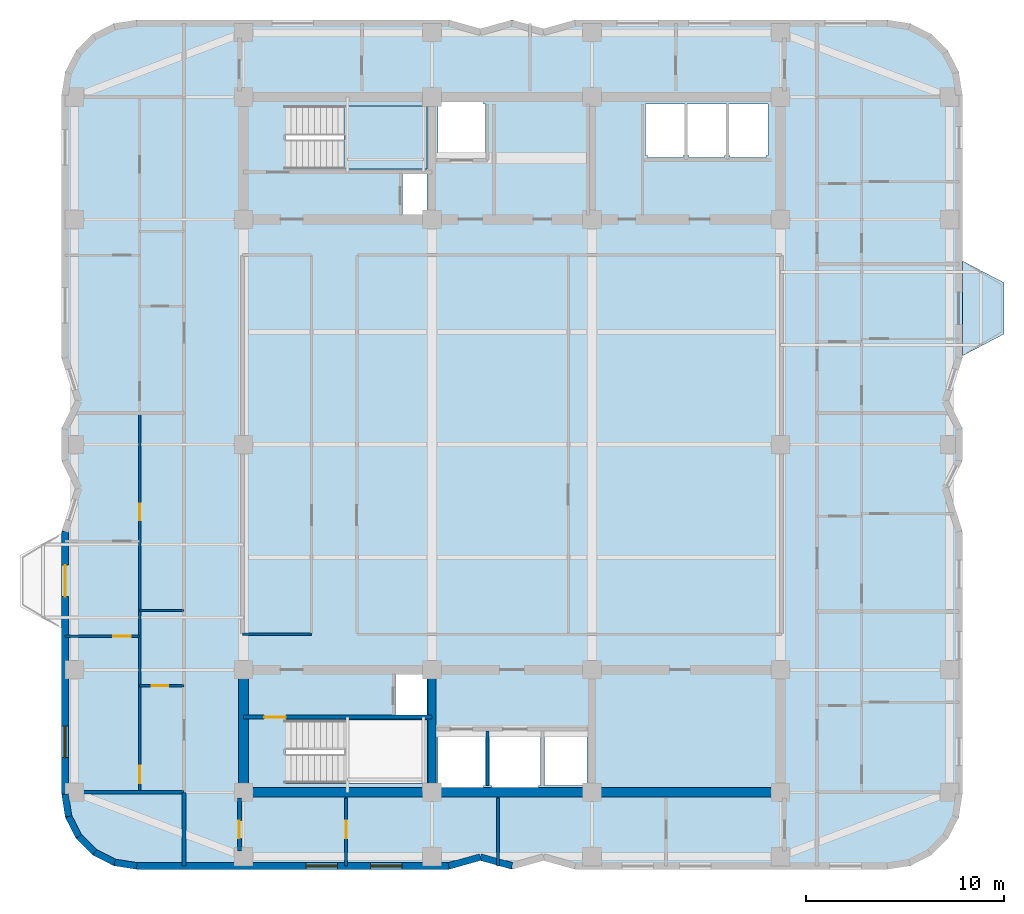
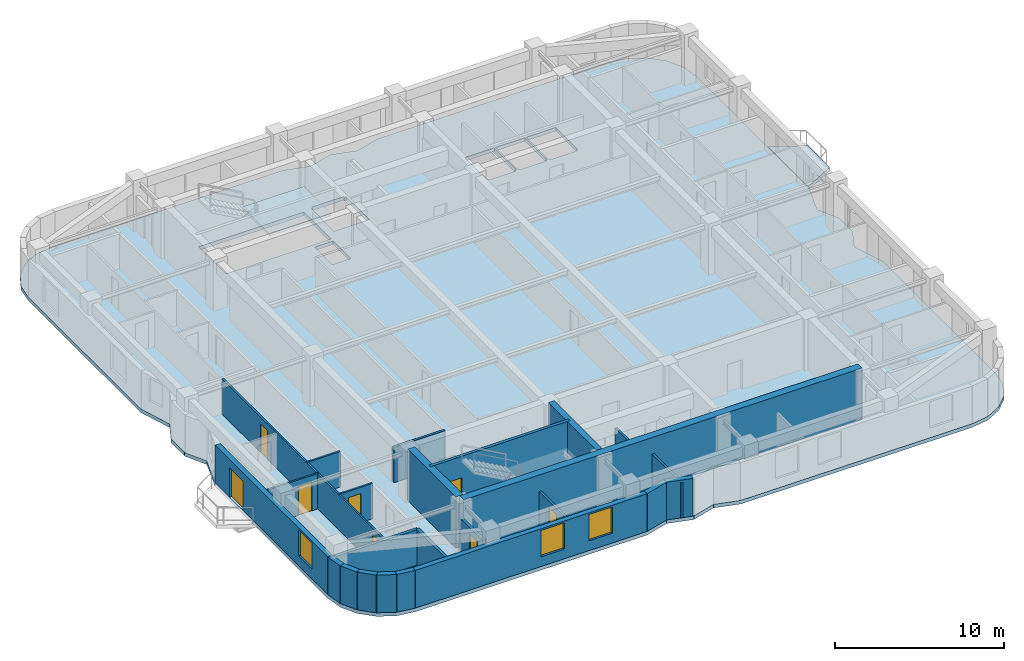
# One storey, part 2 of 9: 24 walls, 8 doors, 3 slabs, 3 windows, 11 openings, 1 element without a shape of its own.
"""IFC4 building model written with IfcOpenShell, lengths in metres."""

from ifc_helpers import new_model, si_unit, direction, frame, frame_2d, origin, place, context, subcontext, project, spatial, polyline, rectangle, outline, extrude, material, layer, layer_set, type_object, element, fill, aggregate, save


model = new_model("IFC4")

# Units and contexts
model_context = context("Model", 3, precision=1e-05, world=origin(), true_north=direction((0.0, 1.0)))
body_context = subcontext(model_context, "Body", "Model", "MODEL_VIEW")
ifc_project = project(units=[si_unit("LENGTHUNIT", "METRE"), si_unit("AREAUNIT", "SQUARE_METRE"), si_unit("VOLUMEUNIT", "CUBIC_METRE"), si_unit("PLANEANGLEUNIT", "RADIAN"), si_unit("MASSUNIT", "GRAM", prefix="KILO")], contexts=[model_context])

# Site, building, storey
site_placement = place(None, origin())
site = spatial("IfcSite", under=ifc_project, at=site_placement, CompositionType="ELEMENT")
building_placement = place(site_placement, origin())
building = spatial("IfcBuilding", under=site, at=building_placement, Name="Svetorya Sky Lyceum", CompositionType="ELEMENT")
storey_placement = place(building_placement, frame((0.0, 0.0, 184.800048828125)))
storey = spatial("IfcBuildingStorey", under=building, at=storey_placement, Name="L46", CompositionType="ELEMENT", Elevation=184.800048828125)

# Slab
ifc_material_1 = material(Name="Concrete C40/50", Category="concrete")
ifc_layer_1 = layer(ifc_material_1, 0.260009765625)
ifc_layer_set_1 = layer_set([ifc_layer_1], Name="Concrete C40/50")
slab_type_1 = type_object("IfcSlabType", Name="SL-BAL-260", PredefinedType="FLOOR", material=ifc_layer_set_1)
slab_1_placement = place(storey_placement, frame((0.0, 0.0, -0.260009765625)))
element("IfcSlab", 1, at=slab_1_placement, inside=storey, type_object=slab_type_1, Name="L46 Chamfered Loggia Balcony BAL-E1", PredefinedType="FLOOR", context=body_context, shape_type="SweptSolid", body=[
    extrude(outline(polyline([(62.010009765625, 32.699951171875), (64.110107421875, 33.800048828125), (64.110107421875, 36.39990234375), (62.010009765625, 37.5), (62.010009765625, 32.699951171875)])), origin(), (0.0, 0.0, 1.0), 0.260009765625),
])

# Stair, slab
stair_type = type_object("IfcStairType", Name="STR-ST-N", PredefinedType="HALF_TURN_STAIR", material=ifc_material_1)
stair_placement = place(storey_placement, origin())
stair = element("IfcStair", 2, at=stair_placement, inside=storey, type_object=stair_type, Name="L46 North Core Smoke-Free Exit Stair N3", PredefinedType="HALF_TURN_STAIR")
ifc_layer_2 = layer(ifc_material_1, 0.199951171875)
ifc_layer_set_2 = layer_set([ifc_layer_2], Name="Concrete C40/50")
slab_type_2 = type_object("IfcSlabType", Name="SL-STR-LAND-200", PredefinedType="LANDING", material=ifc_layer_set_2)
slab_2_placement = place(storey_placement, frame((0.0, 0.0, 1.64990234375)))
slab_2 = element("IfcSlab", 3, at=slab_2_placement, type_object=slab_type_2, Name="ST-N landing 1", PredefinedType="LANDING", context=body_context, shape_type="SweptSolid", body=[
    extrude(outline(polyline([(30.699951171875, 42.14990234375), (34.89990234375, 42.14990234375), (34.89990234375, 45.35009765625), (30.699951171875, 45.35009765625), (30.699951171875, 42.14990234375)])), origin(), (0.0, 0.0, 1.0), 0.199951171875),
])
aggregate(stair, [slab_2])

# Slab
ifc_material_2 = material(Name="Concrete C50/60", Category="concrete")
ifc_layer_3 = layer(ifc_material_2, 0.260009765625)
ifc_layer_set_3 = layer_set([ifc_layer_3], Name="Concrete C50/60")
slab_type_3 = type_object("IfcSlabType", Name="SL-TWR-260", PredefinedType="FLOOR", material=ifc_layer_set_3)
slab_3_placement = place(storey_placement, frame((0.0, 0.0, -0.260009765625)))
element("IfcSlab", 4, at=slab_3_placement, inside=storey, type_object=slab_type_3, Name="L46 Structural Floor Slab", PredefinedType="FLOOR", context=body_context, shape_type="SweptSolid", body=[
    extrude(outline(polyline([(16.39990234375, 10.5), (16.5859375, 9.32568359375), (17.125732421875, 8.266357421875), (17.96630859375, 7.42578125), (19.025634765625, 6.885986328125), (20.199951171875, 6.699951171875), (36.0, 6.699951171875), (37.60009765625, 7.14990234375), (39.199951171875, 6.699951171875), (40.800048828125, 7.14990234375), (42.39990234375, 6.699951171875), (58.199951171875, 6.699951171875), (59.374267578125, 6.885986328125), (60.43359375, 7.42578125), (61.2744140625, 8.266357421875), (61.81396484375, 9.32568359375), (62.0, 10.5), (62.0, 23.800048828125), (61.300048828125, 26.0), (62.0, 27.39990234375), (62.0, 29.0), (61.300048828125, 30.39990234375), (62.0, 32.60009765625), (62.0, 45.89990234375), (61.81396484375, 47.07421875), (61.2744140625, 48.133544921875), (60.43359375, 48.974365234375), (59.374267578125, 49.513916015625), (58.199951171875, 49.699951171875), (42.39990234375, 49.699951171875), (40.800048828125, 49.25), (39.199951171875, 49.699951171875), (37.60009765625, 49.25), (36.0, 49.699951171875), (20.199951171875, 49.699951171875), (19.025634765625, 49.513916015625), (17.96630859375, 48.974365234375), (17.125732421875, 48.133544921875), (16.5859375, 47.07421875), (16.39990234375, 45.89990234375), (16.39990234375, 32.60009765625), (17.10009765625, 30.39990234375), (16.39990234375, 29.0), (16.39990234375, 27.39990234375), (17.10009765625, 26.0), (16.39990234375, 23.800048828125), (16.39990234375, 10.5)]), holes=[polyline([(37.85009765625, 10.949951171875), (37.75, 10.949951171875), (37.75, 10.85009765625), (35.550048828125, 10.85009765625), (35.550048828125, 10.949951171875), (35.449951171875, 10.949951171875), (35.449951171875, 13.64990234375), (35.550048828125, 13.64990234375), (37.75, 13.64990234375), (37.85009765625, 13.64990234375), (37.85009765625, 10.949951171875)]), polyline([(38.14990234375, 10.800048828125), (38.14990234375, 10.949951171875), (38.050048828125, 10.949951171875), (38.050048828125, 13.64990234375), (38.14990234375, 13.64990234375), (38.14990234375, 13.699951171875), (40.550048828125, 13.699951171875), (40.550048828125, 13.64990234375), (40.64990234375, 13.64990234375), (40.64990234375, 10.949951171875), (40.550048828125, 10.949951171875), (40.550048828125, 10.800048828125), (38.14990234375, 10.800048828125)]), polyline([(27.719970703125, 11.050048828125), (27.719970703125, 14.25), (34.89990234375, 14.25), (34.89990234375, 11.050048828125), (27.719970703125, 11.050048828125)]), polyline([(33.300048828125, 14.52001953125), (33.300048828125, 16.580078125), (34.89990234375, 16.580078125), (34.89990234375, 14.52001953125), (33.300048828125, 14.52001953125)]), polyline([(33.64990234375, 39.820068359375), (33.64990234375, 41.89990234375), (34.89990234375, 41.89990234375), (34.89990234375, 39.820068359375), (33.64990234375, 39.820068359375)]), polyline([(27.719970703125, 42.14990234375), (27.719970703125, 45.35009765625), (34.89990234375, 45.35009765625), (34.89990234375, 42.14990234375), (27.719970703125, 42.14990234375)]), polyline([(37.75, 42.75), (35.550048828125, 42.75), (35.449951171875, 42.75), (35.449951171875, 45.449951171875), (35.550048828125, 45.449951171875), (35.550048828125, 45.550048828125), (37.75, 45.550048828125), (37.75, 45.449951171875), (37.85009765625, 45.449951171875), (37.85009765625, 42.75), (37.75, 42.75)]), polyline([(40.85009765625, 10.949951171875), (40.85009765625, 13.64990234375), (43.0, 13.64990234375), (43.0, 10.949951171875), (40.85009765625, 10.949951171875)]), polyline([(46.050048828125, 42.75), (46.050048828125, 42.85009765625), (45.949951171875, 42.85009765625), (45.949951171875, 45.449951171875), (46.050048828125, 45.449951171875), (47.85009765625, 45.449951171875), (47.949951171875, 45.449951171875), (47.949951171875, 42.85009765625), (47.85009765625, 42.85009765625), (47.85009765625, 42.75), (46.050048828125, 42.75)]), polyline([(50.050048828125, 42.85009765625), (49.949951171875, 42.85009765625), (49.949951171875, 42.75), (48.14990234375, 42.75), (48.14990234375, 42.85009765625), (48.050048828125, 42.85009765625), (48.050048828125, 45.449951171875), (48.14990234375, 45.449951171875), (49.949951171875, 45.449951171875), (50.050048828125, 45.449951171875), (50.050048828125, 42.85009765625)]), polyline([(52.14990234375, 42.85009765625), (52.050048828125, 42.85009765625), (52.050048828125, 42.75), (50.25, 42.75), (50.25, 42.85009765625), (50.14990234375, 42.85009765625), (50.14990234375, 45.449951171875), (50.25, 45.449951171875), (52.050048828125, 45.449951171875), (52.14990234375, 45.449951171875), (52.14990234375, 42.85009765625)])]), origin(), (0.0, 0.0, 1.0), 0.260009765625),
])

# Walls
ifc_layer_4 = layer(ifc_material_1, 0.39990234375)
ifc_layer_set_4 = layer_set([ifc_layer_4], Name="Concrete C40/50")
wall_type_1 = type_object("IfcWallType", Name="WL-CORE-400", PredefinedType="SHEAR", material=ifc_layer_set_4)
wall_1_placement = place(storey_placement, frame((35.14990234375, 10.85009765625, 0.0), z_axis=(0.0, 0.0, 1.0), x_axis=(0.0, 1.0, 0.0)))
element("IfcWall", 5, at=wall_1_placement, inside=storey, type_object=wall_type_1, Name="L46 SC Internal Shear Web WEB1", PredefinedType="SHEAR", context=body_context, shape_type="SweptSolid", body=[
    extrude(rectangle(XDim=5.699951171875, YDim=0.39990234375, at=frame_2d((2.85009765625, 0.0))), origin(), (0.0, 0.0, 1.0), 3.699951171875),
])
ifc_layer_5 = layer(ifc_material_2, 0.5)
ifc_layer_set_5 = layer_set([ifc_layer_5], Name="Concrete C50/60")
wall_type_2 = type_object("IfcWallType", Name="WL-CORE-500", PredefinedType="SHEAR", material=ifc_layer_set_5)
wall_2_placement = place(storey_placement, frame((52.800048828125, 10.60009765625, 0.0), z_axis=(0.0, 0.0, 1.0), x_axis=(-1.0, 0.0, 0.0)))
element("IfcWall", 6, at=wall_2_placement, inside=storey, type_object=wall_type_2, Name="L46 SC Outer Core Shear Wall", PredefinedType="SHEAR", context=body_context, shape_type="SweptSolid", body=[
    extrude(rectangle(XDim=27.199951171875, YDim=0.5, at=frame_2d((13.60009765625, 0.0))), origin(), (0.0, 0.0, 1.0), 3.699951171875),
])
wall_3_placement = place(storey_placement, frame((25.60009765625, 10.85009765625, 0.0), z_axis=(0.0, 0.0, 1.0), x_axis=(0.0, 1.0, 0.0)))
element("IfcWall", 7, at=wall_3_placement, inside=storey, type_object=wall_type_2, Name="L46 SC West Core Shear Wall", PredefinedType="SHEAR", context=body_context, shape_type="SweptSolid", body=[
    extrude(rectangle(XDim=5.699951171875, YDim=0.5, at=frame_2d((2.85009765625, 0.0))), origin(), (0.0, 0.0, 1.0), 3.699951171875),
])
ifc_material_3 = material(Name="Putilovo limestone rainscreen on autoclaved cellular masonry", Category="masonry")
ifc_layer_6 = layer(ifc_material_3, 0.340087890625)
ifc_layer_set_6 = layer_set([ifc_layer_6], Name="Putilovo limestone rainscreen on autoclaved cellular masonry")
wall_type_3 = type_object("IfcWallType", Name="WL-EXT-340", PredefinedType="SOLIDWALL", material=ifc_layer_set_6)
wall_4_placement = place(storey_placement, frame((16.570068359375, 10.5, 0.0), z_axis=(0.0, 0.0, 1.0), x_axis=(0.156514556949, -0.987675651954, 0.0)))
element("IfcWall", 8, at=wall_4_placement, inside=storey, type_object=wall_type_3, Name="L46 Limestone Exterior Wall 1M", PredefinedType="SOLIDWALL", context=body_context, shape_type="SweptSolid", body=[
    extrude(rectangle(XDim=1.135498046875, YDim=0.340087890625, at=frame_2d((0.56787109375, 0.0))), origin(), (0.0, 0.0, 1.0), 2.719970703125),
])
for number, where, z_axis, x_axis, name in (
    (9, (16.747802734375, 9.37841796875, 0.0), (0.0, 0.0, 1.0), (0.45373580117, -0.891136253744, 0.0), "L46 Limestone Exterior Wall 2M"),
    (10, (17.26318359375, 8.3662109375, 0.0), (0.0, 0.0, 1.0), (0.707214252388, -0.706999293649, 0.0), "L46 Limestone Exterior Wall 3M"),
    (11, (18.06640625, 7.563232421875, 0.0), (0.0, 0.0, 1.0), (0.891005044957, -0.453993402883, 0.0), "L46 Limestone Exterior Wall 4M"),
):
    element("IfcWall", number, at=place(storey_placement, frame(where, z_axis=z_axis, x_axis=x_axis)), inside=storey, type_object=wall_type_3, Name=name, PredefinedType="SOLIDWALL", context=body_context, shape_type="SweptSolid", body=[
        extrude(rectangle(XDim=1.1357421875, YDim=0.340087890625, at=frame_2d((0.56787109375, 0.0))), origin(), (0.0, 0.0, 1.0), 2.719970703125),
    ])
wall_5_placement = place(storey_placement, frame((19.078369140625, 7.047607421875, 0.0), z_axis=(0.0, 0.0, 1.0), x_axis=(0.987708865555, -0.156304820474, 0.0)))
element("IfcWall", 12, at=wall_5_placement, inside=storey, type_object=wall_type_3, Name="L46 Limestone Exterior Wall 5M", PredefinedType="SOLIDWALL", context=body_context, shape_type="SweptSolid", body=[
    extrude(rectangle(XDim=1.135498046875, YDim=0.340087890625, at=frame_2d((0.56787109375, 0.0))), origin(), (0.0, 0.0, 1.0), 2.719970703125),
])

# Wall, openings, windows
wall_6_placement = place(storey_placement, frame((20.199951171875, 6.8701171875, 0.0), z_axis=(0.0, 0.0, 1.0), x_axis=(1.0, 0.0, 0.0)))
wall_6 = element("IfcWall", 13, at=wall_6_placement, inside=storey, type_object=wall_type_3, Name="L46 Limestone Exterior Wall 6M", PredefinedType="SOLIDWALL", context=body_context, shape_type="SweptSolid", body=[
    extrude(rectangle(XDim=15.800048828125, YDim=0.340087890625, at=frame_2d((7.89990234375, 0.0))), origin(), (0.0, 0.0, 1.0), 2.719970703125),
])
opening_1_placement = place(wall_6_placement, frame((8.5625, 0.0, 0.699951171875)))
opening_1 = element("IfcOpeningElement", 14, at=opening_1_placement, cuts=wall_6, Name="Opening W-R4", PredefinedType="OPENING", context=body_context, shape_type="SweptSolid", body=[
    extrude(rectangle(XDim=1.60009765625, YDim=1.89990234375, at=frame_2d((0.800048828125, 0.949951171875))), frame((0.0, 0.179931640625, 0.0), z_axis=(0.0, -1.0, 0.0), x_axis=(1.0, 0.0, 0.0)), (0.0, 0.0, 1.0), 0.360107421875),
])
opening_2_placement = place(wall_6_placement, frame((11.83740234375, 0.0, 0.699951171875)))
opening_2 = element("IfcOpeningElement", 15, at=opening_2_placement, cuts=wall_6, Name="Opening W-R4", PredefinedType="OPENING", context=body_context, shape_type="SweptSolid", body=[
    extrude(rectangle(XDim=1.60009765625, YDim=1.89990234375, at=frame_2d((0.800048828125, 0.949951171875))), frame((0.0, 0.179931640625, 0.0), z_axis=(0.0, -1.0, 0.0), x_axis=(1.0, 0.0, 0.0)), (0.0, 0.0, 1.0), 0.360107421875),
])
ifc_material_4 = material(Name="Thermally broken aluminium frame with triple low-E glazing", Category="aluminium")
window_type = type_object("IfcWindowType", Name="WN-RES-160", PartitioningType="DOUBLE_PANEL_VERTICAL", PredefinedType="WINDOW", material=ifc_material_4)
window_1_placement = place(opening_1_placement, origin())
window_1 = element("IfcWindow", 16, at=window_1_placement, inside=storey, type_object=window_type, Name="L46 Facade Window W-R4.6M.1", OverallHeight=1.89990234375, OverallWidth=1.60009765625, PartitioningType="SINGLE_PANEL", PredefinedType="WINDOW", context=body_context, shape_type="SweptSolid", body=[
    extrude(rectangle(XDim=1.60009765625, YDim=1.89990234375, at=frame_2d((0.800048828125, 0.949951171875))), frame((0.0, 0.030029296875, 0.0), z_axis=(0.0, -1.0, 0.0), x_axis=(1.0, 0.0, 0.0)), (0.0, 0.0, 1.0), 0.06005859375),
])
fill(opening_1, window_1)
window_2_placement = place(opening_2_placement, origin())
window_2 = element("IfcWindow", 17, at=window_2_placement, inside=storey, type_object=window_type, Name="L46 Facade Window W-R4.6M.2", OverallHeight=1.89990234375, OverallWidth=1.60009765625, PartitioningType="SINGLE_PANEL", PredefinedType="WINDOW", context=body_context, shape_type="SweptSolid", body=[
    extrude(rectangle(XDim=1.60009765625, YDim=1.89990234375, at=frame_2d((0.800048828125, 0.949951171875))), frame((0.0, 0.030029296875, 0.0), z_axis=(0.0, -1.0, 0.0), x_axis=(1.0, 0.0, 0.0)), (0.0, 0.0, 1.0), 0.06005859375),
])
fill(opening_2, window_2)

# Walls
wall_7_placement = place(storey_placement, frame((36.0, 6.8701171875, 0.0), z_axis=(0.0, 0.0, 1.0), x_axis=(0.962662902433, 0.270703040766, 0.0)))
element("IfcWall", 18, at=wall_7_placement, inside=storey, type_object=wall_type_3, Name="L46 Limestone Exterior Wall 7M", PredefinedType="SOLIDWALL", context=body_context, shape_type="SweptSolid", body=[
    extrude(rectangle(XDim=1.662109375, YDim=0.340087890625, at=frame_2d((0.8310546875, 0.0))), origin(), (0.0, 0.0, 1.0), 2.719970703125),
])
wall_8_placement = place(storey_placement, frame((37.60009765625, 7.320068359375, 0.0), z_axis=(0.0, 0.0, 1.0), x_axis=(0.962652136636, -0.270741322725, 0.0)))
element("IfcWall", 19, at=wall_8_placement, inside=storey, type_object=wall_type_3, Name="L46 Limestone Exterior Wall 8M", PredefinedType="SOLIDWALL", context=body_context, shape_type="SweptSolid", body=[
    extrude(rectangle(XDim=1.661865234375, YDim=0.340087890625, at=frame_2d((0.8310546875, 0.0))), origin(), (0.0, 0.0, 1.0), 2.719970703125),
])

# Wall, openings, door, window
wall_9_placement = place(storey_placement, frame((16.570068359375, 23.800048828125, 0.0), z_axis=(0.0, 0.0, 1.0), x_axis=(0.0, -1.0, 0.0)))
wall_9 = element("IfcWall", 20, at=wall_9_placement, inside=storey, type_object=wall_type_3, Name="L46 Limestone Exterior Wall 46M", PredefinedType="SOLIDWALL", context=body_context, shape_type="SweptSolid", body=[
    extrude(rectangle(XDim=13.300048828125, YDim=0.340087890625, at=frame_2d((6.64990234375, 0.0))), origin(), (0.0, 0.0, 1.0), 2.719970703125),
])
opening_3_placement = place(wall_9_placement, frame((1.699951171875, 0.0, 0.0)))
opening_3 = element("IfcOpeningElement", 21, at=opening_3_placement, cuts=wall_9, Name="Opening D-BL1", PredefinedType="OPENING", context=body_context, shape_type="SweptSolid", body=[
    extrude(rectangle(XDim=1.60009765625, YDim=2.10009765625, at=frame_2d((0.800048828125, 1.050048828125))), frame((0.0, 0.179931640625, 0.0), z_axis=(0.0, -1.0, 0.0), x_axis=(1.0, 0.0, 0.0)), (0.0, 0.0, 1.0), 0.360107421875),
])
opening_4_placement = place(wall_9_placement, frame((9.85009765625, 0.0, 0.699951171875)))
opening_4 = element("IfcOpeningElement", 22, at=opening_4_placement, cuts=wall_9, Name="Opening W-R4", PredefinedType="OPENING", context=body_context, shape_type="SweptSolid", body=[
    extrude(rectangle(XDim=1.60009765625, YDim=1.89990234375, at=frame_2d((0.800048828125, 0.949951171875))), frame((0.0, 0.179931640625, 0.0), z_axis=(0.0, -1.0, 0.0), x_axis=(1.0, 0.0, 0.0)), (0.0, 0.0, 1.0), 0.360107421875),
])
ifc_material_5 = material(Name="Insulated glazed aluminium balcony door", Category="aluminium")
door_type_1 = type_object("IfcDoorType", Name="DR-BAL-1600", OperationType="DOUBLE_DOOR_SINGLE_SWING", PredefinedType="DOOR", material=ifc_material_5)
door_1_placement = place(opening_3_placement, origin())
door_1 = element("IfcDoor", 23, at=door_1_placement, inside=storey, type_object=door_type_1, Name="L46 Balcony BAL-W1 Door", OperationType="DOUBLE_DOOR_SINGLE_SWING", OverallHeight=2.10009765625, OverallWidth=1.60009765625, PredefinedType="DOOR", context=body_context, shape_type="SweptSolid", body=[
    extrude(rectangle(XDim=1.60009765625, YDim=2.10009765625, at=frame_2d((0.800048828125, 1.050048828125))), frame((0.0, 0.02490234375, 0.0), z_axis=(0.0, -1.0, 0.0), x_axis=(1.0, 0.0, 0.0)), (0.0, 0.0, 1.0), 0.050048828125),
])
fill(opening_3, door_1)
window_3_placement = place(opening_4_placement, origin())
window_3 = element("IfcWindow", 24, at=window_3_placement, inside=storey, type_object=window_type, Name="L46 Facade Window W-R4.46M.1", OverallHeight=1.89990234375, OverallWidth=1.60009765625, PartitioningType="SINGLE_PANEL", PredefinedType="WINDOW", context=body_context, shape_type="SweptSolid", body=[
    extrude(rectangle(XDim=1.60009765625, YDim=1.89990234375, at=frame_2d((0.800048828125, 0.949951171875))), frame((0.0, 0.030029296875, 0.0), z_axis=(0.0, -1.0, 0.0), x_axis=(1.0, 0.0, 0.0)), (0.0, 0.0, 1.0), 0.06005859375),
])
fill(opening_4, window_3)

# Wall, opening, door
ifc_material_6 = material(Name="Twin-stud galvanized framing with double fireboard", Category="gypsum")
ifc_layer_7 = layer(ifc_material_6, 0.1201171875)
ifc_layer_set_7 = layer_set([ifc_layer_7], Name="Twin-stud galvanized framing with double fireboard")
wall_type_4 = type_object("IfcWallType", Name="WL-PART-120", PredefinedType="PARTITIONING", material=ifc_layer_set_7)
wall_10_placement = place(storey_placement, frame((20.35009765625, 16.0, 0.0), z_axis=(0.0, 0.0, 1.0), x_axis=(1.0, 0.0, 0.0)))
wall_10 = element("IfcWall", 25, at=wall_10_placement, inside=storey, type_object=wall_type_4, Name="L46 Interior Partition W1-WH1", PredefinedType="PARTITIONING", context=body_context, shape_type="SweptSolid", body=[
    extrude(rectangle(XDim=2.25, YDim=0.1201171875, at=frame_2d((1.125, 0.0))), origin(), (0.0, 0.0, 1.0), 2.550048828125),
])
opening_5_placement = place(wall_10_placement, frame((0.60009765625, 0.0, 0.0)))
opening_5 = element("IfcOpeningElement", 26, at=opening_5_placement, cuts=wall_10, Name="Opening D-BT1", PredefinedType="OPENING", context=body_context, shape_type="SweptSolid", body=[
    extrude(rectangle(XDim=0.85009765625, YDim=2.10009765625, at=frame_2d((0.425048828125, 1.050048828125))), frame((0.0, 0.070068359375, 0.0), z_axis=(0.0, -1.0, 0.0), x_axis=(1.0, 0.0, 0.0)), (0.0, 0.0, 1.0), 0.14013671875),
])
ifc_material_7 = material(Name="Moisture-resistant laminate bathroom door")
door_type_2 = type_object("IfcDoorType", Name="DR-WET-850", OperationType="SINGLE_SWING_LEFT", PredefinedType="DOOR", material=ifc_material_7)
door_2_placement = place(opening_5_placement, origin())
door_2 = element("IfcDoor", 27, at=door_2_placement, inside=storey, type_object=door_type_2, Name="Apartment W1 Bathroom Door", OperationType="SINGLE_SWING_LEFT", OverallHeight=2.10009765625, OverallWidth=0.85009765625, PredefinedType="DOOR", context=body_context, shape_type="SweptSolid", body=[
    extrude(rectangle(XDim=0.85009765625, YDim=2.10009765625, at=frame_2d((0.425048828125, 1.050048828125))), frame((0.0, 0.02490234375, 0.0), z_axis=(0.0, -1.0, 0.0), x_axis=(1.0, 0.0, 0.0)), (0.0, 0.0, 1.0), 0.050048828125),
])
fill(opening_5, door_2)

# Wall
wall_11_placement = place(storey_placement, frame((20.35009765625, 19.800048828125, 0.0), z_axis=(0.0, 0.0, 1.0), x_axis=(1.0, 0.0, 0.0)))
element("IfcWall", 28, at=wall_11_placement, inside=storey, type_object=wall_type_4, Name="L46 Interior Partition W1-WH2", PredefinedType="PARTITIONING", context=body_context, shape_type="SweptSolid", body=[
    extrude(rectangle(XDim=2.25, YDim=0.1201171875, at=frame_2d((1.125, 0.0))), origin(), (0.0, 0.0, 1.0), 2.550048828125),
])

# Wall, opening, door
wall_12_placement = place(storey_placement, frame((16.570068359375, 18.5, 0.0), z_axis=(0.0, 0.0, 1.0), x_axis=(1.0, 0.0, 0.0)))
wall_12 = element("IfcWall", 29, at=wall_12_placement, inside=storey, type_object=wall_type_4, Name="L46 Interior Partition W1-WL1", PredefinedType="PARTITIONING", context=body_context, shape_type="SweptSolid", body=[
    extrude(rectangle(XDim=3.780029296875, YDim=0.1201171875, at=frame_2d((1.89013671875, 0.0))), origin(), (0.0, 0.0, 1.0), 2.550048828125),
])
opening_6_placement = place(wall_12_placement, frame((2.429931640625, 0.0, 0.0)))
opening_6 = element("IfcOpeningElement", 30, at=opening_6_placement, cuts=wall_12, Name="Opening D-RM1", PredefinedType="OPENING", context=body_context, shape_type="SweptSolid", body=[
    extrude(rectangle(XDim=0.89990234375, YDim=2.10009765625, at=frame_2d((0.449951171875, 1.050048828125))), frame((0.0, 0.070068359375, 0.0), z_axis=(0.0, -1.0, 0.0), x_axis=(1.0, 0.0, 0.0)), (0.0, 0.0, 1.0), 0.14013671875),
])
ifc_material_8 = material(Name="Lacquered birch veneer internal door")
door_type_3 = type_object("IfcDoorType", Name="DR-INT-900", OperationType="SINGLE_SWING_LEFT", PredefinedType="DOOR", material=ifc_material_8)
door_3_placement = place(opening_6_placement, origin())
door_3 = element("IfcDoor", 31, at=door_3_placement, inside=storey, type_object=door_type_3, Name="Apartment W1 Master Bedroom Door", OperationType="SINGLE_SWING_LEFT", OverallHeight=2.10009765625, OverallWidth=0.89990234375, PredefinedType="DOOR", context=body_context, shape_type="SweptSolid", body=[
    extrude(rectangle(XDim=0.89990234375, YDim=2.10009765625, at=frame_2d((0.449951171875, 1.050048828125))), frame((0.0, 0.02490234375, 0.0), z_axis=(0.0, -1.0, 0.0), x_axis=(1.0, 0.0, 0.0)), (0.0, 0.0, 1.0), 0.050048828125),
])
fill(opening_6, door_3)

# Wall, openings, doors
wall_13_placement = place(storey_placement, frame((20.35009765625, 10.639892578125, 0.0), z_axis=(0.0, 0.0, 1.0), x_axis=(0.0, 1.0, 0.0)))
wall_13 = element("IfcWall", 32, at=wall_13_placement, inside=storey, type_object=wall_type_4, Name="L46 Interior Partition W1-WV", PredefinedType="PARTITIONING", context=body_context, shape_type="SweptSolid", body=[
    extrude(rectangle(XDim=19.1201171875, YDim=0.1201171875, at=frame_2d((9.56005859375, 0.0))), origin(), (0.0, 0.0, 1.0), 2.550048828125),
])
opening_7_placement = place(wall_13_placement, frame((0.409912109375, 0.0, 0.0)))
opening_7 = element("IfcOpeningElement", 33, at=opening_7_placement, cuts=wall_13, Name="Opening D-RM1", PredefinedType="OPENING", context=body_context, shape_type="SweptSolid", body=[
    extrude(rectangle(XDim=0.89990234375, YDim=2.10009765625, at=frame_2d((0.449951171875, 1.050048828125))), frame((0.0, 0.070068359375, 0.0), z_axis=(0.0, -1.0, 0.0), x_axis=(1.0, 0.0, 0.0)), (0.0, 0.0, 1.0), 0.14013671875),
])
opening_8_placement = place(wall_13_placement, frame((13.735107421875, 0.0, 0.0)))
opening_8 = element("IfcOpeningElement", 34, at=opening_8_placement, cuts=wall_13, Name="Opening D-BT2", PredefinedType="OPENING", context=body_context, shape_type="SweptSolid", body=[
    extrude(rectangle(XDim=0.820068359375, YDim=2.080078125, at=frame_2d((0.41015625, 1.0400390625))), frame((0.0, 0.070068359375, 0.0), z_axis=(0.0, -1.0, 0.0), x_axis=(1.0, 0.0, 0.0)), (0.0, 0.0, 1.0), 0.14013671875),
])
door_4_placement = place(opening_7_placement, origin())
door_4 = element("IfcDoor", 35, at=door_4_placement, inside=storey, type_object=door_type_3, Name="Apartment W1 Living Door", OperationType="SINGLE_SWING_RIGHT", OverallHeight=2.10009765625, OverallWidth=0.89990234375, PredefinedType="DOOR", context=body_context, shape_type="SweptSolid", body=[
    extrude(rectangle(XDim=0.89990234375, YDim=2.10009765625, at=frame_2d((0.449951171875, 1.050048828125))), frame((0.0, 0.02490234375, 0.0), z_axis=(0.0, -1.0, 0.0), x_axis=(1.0, 0.0, 0.0)), (0.0, 0.0, 1.0), 0.050048828125),
])
fill(opening_7, door_4)
ifc_material_9 = material(Name="Compact moisture-resistant laminate closet door")
door_type_4 = type_object("IfcDoorType", Name="DR-WET-820", OperationType="SINGLE_SWING_LEFT", PredefinedType="DOOR", material=ifc_material_9)
door_5_placement = place(opening_8_placement, origin())
door_5 = element("IfcDoor", 36, at=door_5_placement, inside=storey, type_object=door_type_4, Name="Apartment W1 Study Door", OperationType="SINGLE_SWING_LEFT", OverallHeight=2.080078125, OverallWidth=0.820068359375, PredefinedType="DOOR", context=body_context, shape_type="SweptSolid", body=[
    extrude(rectangle(XDim=0.820068359375, YDim=2.080078125, at=frame_2d((0.41015625, 1.0400390625))), frame((0.0, 0.02490234375, 0.0), z_axis=(0.0, -1.0, 0.0), x_axis=(1.0, 0.0, 0.0)), (0.0, 0.0, 1.0), 0.050048828125),
])
fill(opening_8, door_5)

# Walls
ifc_material_10 = material(Name="Autoclaved cellular masonry blockwork with acoustic render", Category="masonry")
ifc_layer_8 = layer(ifc_material_10, 0.14990234375)
ifc_layer_set_8 = layer_set([ifc_layer_8], Name="Autoclaved cellular masonry blockwork with acoustic render")
wall_type_5 = type_object("IfcWallType", Name="WL-PART-150", PredefinedType="PARTITIONING", material=ifc_layer_set_8)
wall_14_placement = place(storey_placement, frame((37.949951171875, 10.949951171875, 0.0), z_axis=(0.0, 0.0, 1.0), x_axis=(0.0, 1.0, 0.0)))
element("IfcWall", 37, at=wall_14_placement, inside=storey, type_object=wall_type_5, Name="L46 Interior Partition SC-SHD1", PredefinedType="PARTITIONING", context=body_context, shape_type="SweptSolid", body=[
    extrude(rectangle(XDim=2.75, YDim=0.14990234375, at=frame_2d((1.375, 0.0))), origin(), (0.0, 0.0, 1.0), 2.550048828125),
])
wall_15_placement = place(storey_placement, frame((25.550048828125, 18.60009765625, 0.0), z_axis=(0.0, 0.0, 1.0), x_axis=(1.0, 0.0, 0.0)))
element("IfcWall", 38, at=wall_15_placement, inside=storey, type_object=wall_type_5, Name="L46 Interior Partition OFF-CS-W", PredefinedType="PARTITIONING", context=body_context, shape_type="SweptSolid", body=[
    extrude(rectangle(XDim=3.5, YDim=0.14990234375, at=frame_2d((1.75, 0.0))), origin(), (0.0, 0.0, 1.0), 2.550048828125),
])

# Wall, opening, door
wall_16_placement = place(storey_placement, frame((30.800048828125, 6.8701171875, 0.0), z_axis=(0.0, 0.0, 1.0), x_axis=(0.0, 1.0, 0.0)))
wall_16 = element("IfcWall", 39, at=wall_16_placement, inside=storey, type_object=wall_type_5, Name="L46 Interior Partition S4-D1", PredefinedType="PARTITIONING", context=body_context, shape_type="SweptSolid", body=[
    extrude(rectangle(XDim=3.429931640625, YDim=0.14990234375, at=frame_2d((1.71484375, 0.0))), origin(), (0.0, 0.0, 1.0), 2.550048828125),
])
opening_9_placement = place(wall_16_placement, frame((1.39990234375, 0.0, 0.0)))
opening_9 = element("IfcOpeningElement", 40, at=opening_9_placement, cuts=wall_16, Name="Opening D-RM1", PredefinedType="OPENING", context=body_context, shape_type="SweptSolid", body=[
    extrude(rectangle(XDim=0.89990234375, YDim=2.10009765625, at=frame_2d((0.449951171875, 1.050048828125))), frame((0.0, 0.0849609375, 0.0), z_axis=(0.0, -1.0, 0.0), x_axis=(1.0, 0.0, 0.0)), (0.0, 0.0, 1.0), 0.169921875),
])
door_6_placement = place(opening_9_placement, origin())
door_6 = element("IfcDoor", 41, at=door_6_placement, inside=storey, type_object=door_type_3, Name="L46 South Suite Door 1", OperationType="SINGLE_SWING_LEFT", OverallHeight=2.10009765625, OverallWidth=0.89990234375, PredefinedType="DOOR", context=body_context, shape_type="SweptSolid", body=[
    extrude(rectangle(XDim=0.89990234375, YDim=2.10009765625, at=frame_2d((0.449951171875, 1.050048828125))), frame((0.0, 0.02490234375, 0.0), z_axis=(0.0, -1.0, 0.0), x_axis=(1.0, 0.0, 0.0)), (0.0, 0.0, 1.0), 0.050048828125),
])
fill(opening_9, door_6)

# Walls
wall_17_placement = place(storey_placement, frame((38.5, 6.8701171875, 0.0), z_axis=(0.0, 0.0, 1.0), x_axis=(0.0, 1.0, 0.0)))
element("IfcWall", 42, at=wall_17_placement, inside=storey, type_object=wall_type_5, Name="L46 Interior Partition S4-D2", PredefinedType="PARTITIONING", context=body_context, shape_type="SweptSolid", body=[
    extrude(rectangle(XDim=3.429931640625, YDim=0.14990234375, at=frame_2d((1.71484375, 0.0))), origin(), (0.0, 0.0, 1.0), 2.550048828125),
])
ifc_material_11 = material(Name="Autoclaved cellular masonry blockwork with gypsum plaster", Category="masonry")
ifc_layer_9 = layer(ifc_material_11, 0.199951171875)
ifc_layer_set_9 = layer_set([ifc_layer_9], Name="Autoclaved cellular masonry blockwork with gypsum plaster")
wall_type_6 = type_object("IfcWallType", Name="WL-PART-200", PredefinedType="PARTITIONING", material=ifc_layer_set_9)
wall_18_placement = place(storey_placement, frame((16.989990234375, 10.60009765625, 0.0), z_axis=(0.0, 0.0, 1.0), x_axis=(1.0, 0.0, 0.0)))
element("IfcWall", 43, at=wall_18_placement, inside=storey, type_object=wall_type_6, Name="L46 Interior Partition W-CAP-S", PredefinedType="PARTITIONING", context=body_context, shape_type="SweptSolid", body=[
    extrude(rectangle(XDim=5.610107421875, YDim=0.199951171875, at=frame_2d((2.80517578125, 0.0))), origin(), (0.0, 0.0, 1.0), 2.550048828125),
])
wall_19_placement = place(storey_placement, frame((22.60009765625, 6.8701171875, 0.0), z_axis=(0.0, 0.0, 1.0), x_axis=(0.0, 1.0, 0.0)))
element("IfcWall", 44, at=wall_19_placement, inside=storey, type_object=wall_type_6, Name="L46 Interior Partition WC-SW-END", PredefinedType="PARTITIONING", context=body_context, shape_type="SweptSolid", body=[
    extrude(rectangle(XDim=3.72998046875, YDim=0.199951171875, at=frame_2d((1.864990234375, 0.0))), origin(), (0.0, 0.0, 1.0), 2.550048828125),
])

# Wall, opening, door
wall_20_placement = place(storey_placement, frame((25.39990234375, 7.6201171875, 0.0), z_axis=(0.0, 0.0, 1.0), x_axis=(0.0, 1.0, 0.0)))
wall_20 = element("IfcWall", 45, at=wall_20_placement, inside=storey, type_object=wall_type_6, Name="L46 Interior Partition S4-EW", PredefinedType="PARTITIONING", context=body_context, shape_type="SweptSolid", body=[
    extrude(rectangle(XDim=2.679931640625, YDim=0.199951171875, at=frame_2d((1.33984375, 0.0))), origin(), (0.0, 0.0, 1.0), 2.550048828125),
])
opening_10_placement = place(wall_20_placement, frame((0.64990234375, 0.0, 0.0)))
opening_10 = element("IfcOpeningElement", 46, at=opening_10_placement, cuts=wall_20, Name="Opening D-RM1", PredefinedType="OPENING", context=body_context, shape_type="SweptSolid", body=[
    extrude(rectangle(XDim=0.89990234375, YDim=2.10009765625, at=frame_2d((0.449951171875, 1.050048828125))), frame((0.0, 0.10986328125, 0.0), z_axis=(0.0, -1.0, 0.0), x_axis=(1.0, 0.0, 0.0)), (0.0, 0.0, 1.0), 0.219970703125),
])
door_7_placement = place(opening_10_placement, origin())
door_7 = element("IfcDoor", 47, at=door_7_placement, inside=storey, type_object=door_type_3, Name="L46 SW Office Door", OperationType="SINGLE_SWING_LEFT", OverallHeight=2.10009765625, OverallWidth=0.89990234375, PredefinedType="DOOR", context=body_context, shape_type="SweptSolid", body=[
    extrude(rectangle(XDim=0.89990234375, YDim=2.10009765625, at=frame_2d((0.449951171875, 1.050048828125))), frame((0.0, 0.02490234375, 0.0), z_axis=(0.0, -1.0, 0.0), x_axis=(1.0, 0.0, 0.0)), (0.0, 0.0, 1.0), 0.050048828125),
])
fill(opening_10, door_7)

ifc_layer_10 = layer(ifc_material_2, 0.199951171875)
ifc_layer_set_10 = layer_set([ifc_layer_10], Name="Concrete C50/60")
wall_type_7 = type_object("IfcWallType", Name="WL-SHW-200", PredefinedType="SHEAR", material=ifc_layer_set_10)
wall_21_placement = place(storey_placement, frame((25.60009765625, 14.39990234375, 0.0), z_axis=(0.0, 0.0, 1.0), x_axis=(1.0, 0.0, 0.0)))
wall_21 = element("IfcWall", 48, at=wall_21_placement, inside=storey, type_object=wall_type_7, Name="L46 Structural Stair Shaft Wall SC-STW", PredefinedType="SHEAR", context=body_context, shape_type="SweptSolid", body=[
    extrude(rectangle(XDim=9.5498046875, YDim=0.199951171875, at=frame_2d((4.77490234375, 0.0))), origin(), (0.0, 0.0, 1.0), 3.699951171875),
])
opening_11_placement = place(wall_21_placement, frame((1.050048828125, 0.0, 0.0)))
opening_11 = element("IfcOpeningElement", 49, at=opening_11_placement, cuts=wall_21, Name="Opening D-ST1", PredefinedType="OPENING", context=body_context, shape_type="SweptSolid", body=[
    extrude(rectangle(XDim=1.10009765625, YDim=2.14990234375, at=frame_2d((0.550048828125, 1.074951171875))), frame((0.0, 0.10986328125, 0.0), z_axis=(0.0, -1.0, 0.0), x_axis=(1.0, 0.0, 0.0)), (0.0, 0.0, 1.0), 0.219970703125),
])
ifc_material_12 = material(Name="Powder-coated insulated galvanized stair fire door")
door_type_5 = type_object("IfcDoorType", Name="DR-FIRE-1100", OperationType="SINGLE_SWING_LEFT", PredefinedType="DOOR", material=ifc_material_12)
door_8_placement = place(opening_11_placement, origin())
door_8 = element("IfcDoor", 50, at=door_8_placement, inside=storey, type_object=door_type_5, Name="L46 Stair ST-S Vestibule Fire Door", OperationType="SINGLE_SWING_LEFT", OverallHeight=2.14990234375, OverallWidth=1.10009765625, PredefinedType="DOOR", context=body_context, shape_type="SweptSolid", body=[
    extrude(rectangle(XDim=1.10009765625, YDim=2.14990234375, at=frame_2d((0.550048828125, 1.074951171875))), frame((0.0, 0.02490234375, 0.0), z_axis=(0.0, -1.0, 0.0), x_axis=(1.0, 0.0, 0.0)), (0.0, 0.0, 1.0), 0.050048828125),
])
fill(opening_11, door_8)

save(model, "model.ifc")
